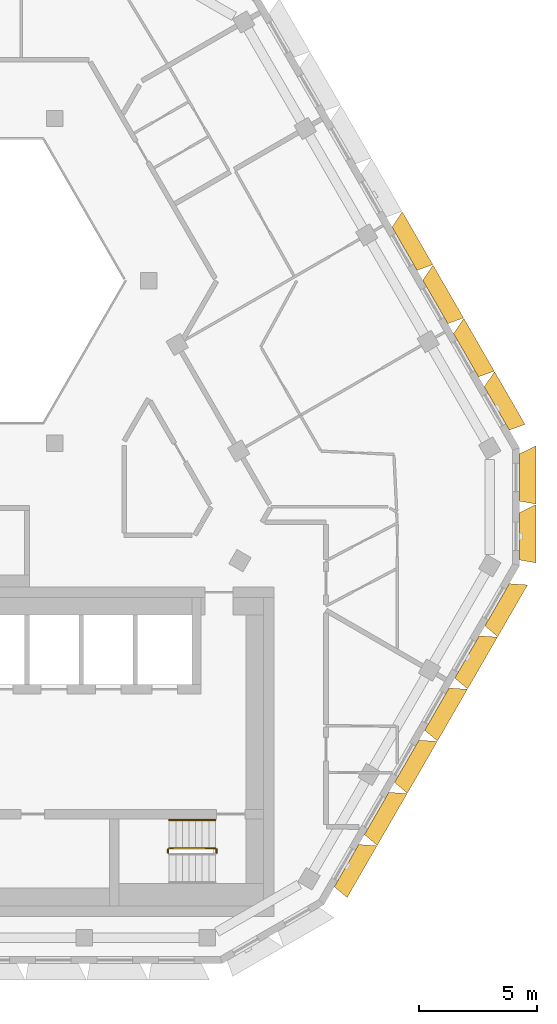
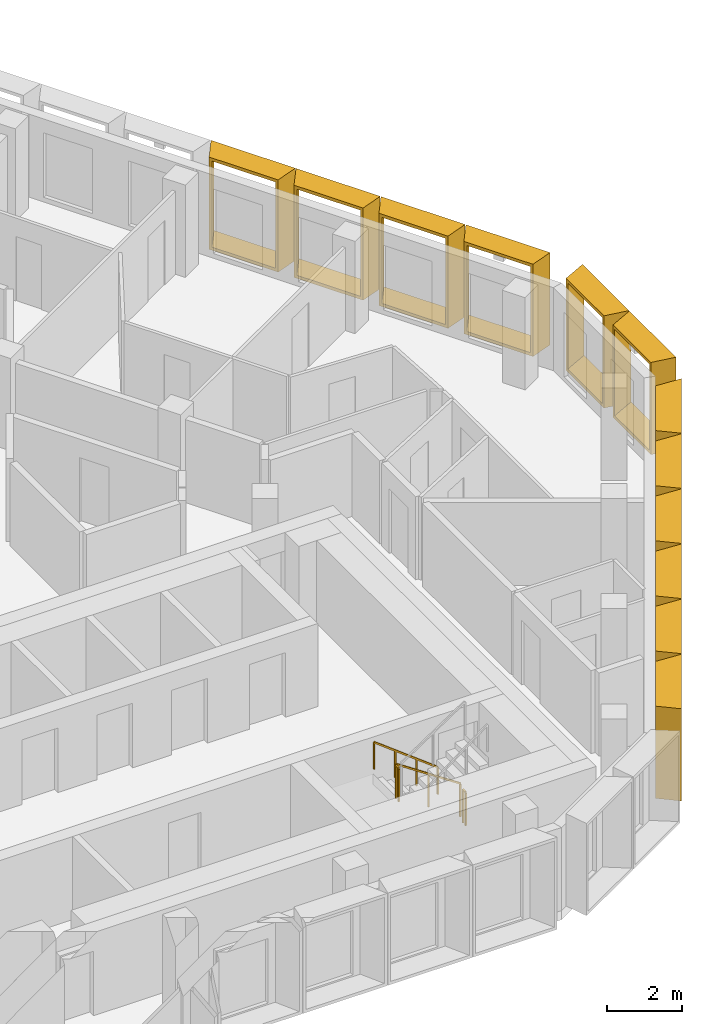
# One storey, part 15 of 16: 12 shading devices, 4 railings.
"""IFC4 building model written with IfcOpenShell, lengths in metres."""

import ifcopenshell
import ifcopenshell.guid

model = None  # the IFC model being written
_history = None  # IfcOwnerHistory: only IFC2X3 demands one
_inside = {}  # id of a spatial element -> (the spatial element, [elements in it])
_under = {}  # id of a project, library or spatial element -> (it, [spatial elements below it])
_declared = {}  # id of a project -> (the project, [libraries it declares])
_typed = {}  # id of a type object -> (the type object, [elements of that type])
_made_of = {}  # id of a material, layer set ... -> (it, [elements and type objects made of it])


def new_model(schema):
    """Start an empty IFC model of exactly this schema.

    Asked for "IFC4X3", IfcOpenShell would pick the latest addendum, in which some entities
    have other attributes; the version numbers below select the first issue.
    IFC2X3 requires an IfcOwnerHistory on every rooted entity: one is made here for all.
    """
    global model, _history
    if schema == "IFC4X3":
        model = ifcopenshell.file(schema_version=(4, 3, 0, 0))
    else:
        model = ifcopenshell.file(schema=schema)
    _inside.clear()
    _under.clear()
    _declared.clear()
    _typed.clear()
    _made_of.clear()
    _history = None
    if model.schema == "IFC2X3":
        org = make("IfcOrganization", Name="unknown")
        user = make(
            "IfcPersonAndOrganization",
            ThePerson=make("IfcPerson", FamilyName="unknown"),
            TheOrganization=org,
        )
        app = make(
            "IfcApplication",
            ApplicationDeveloper=org,
            Version="unknown",
            ApplicationFullName="unknown",
            ApplicationIdentifier="unknown",
        )
        _history = make(
            "IfcOwnerHistory",
            OwningUser=user,
            OwningApplication=app,
            ChangeAction="ADDED",
            CreationDate=0,
        )
    return model


def make(cls, **values):
    """One entity of the class cls with the attributes given. An attribute that is None is left unset."""
    return model.create_entity(
        cls, **{name: value for name, value in values.items() if value is not None}
    )


def entity(cls, *values):
    """Any entity or typed value of the class cls, its attributes in the order of the schema. None: left unset."""
    e = model.create_entity(cls)
    for i, value in enumerate(values):
        if value is not None:
            e[i] = value
    return e


def rooted(cls, **values):
    """An entity with a GlobalId (a new one), such as an element, a storey or a relation."""
    return make(cls, GlobalId=ifcopenshell.guid.new(), OwnerHistory=_history, **values)


def si_unit(unit_type, name, prefix=None):
    """IfcSIUnit, for example si_unit("LENGTHUNIT", "METRE", prefix="MILLI")."""
    return make("IfcSIUnit", UnitType=unit_type, Prefix=prefix, Name=name)


def assignment(units):
    """IfcUnitAssignment: the units of a project."""
    return None if units is None else make("IfcUnitAssignment", Units=units)


def point(xyz):
    """IfcCartesianPoint."""
    return None if xyz is None else make("IfcCartesianPoint", Coordinates=xyz)


def direction(xyz):
    """IfcDirection."""
    return None if xyz is None else make("IfcDirection", DirectionRatios=xyz)


def frame(location, z_axis=None, x_axis=None):
    """IfcAxis2Placement3D, a coordinate frame: its origin and axes. An axis left out is left unset."""
    return make(
        "IfcAxis2Placement3D",
        Location=point(location),
        Axis=direction(z_axis),
        RefDirection=direction(x_axis),
    )


def frame_2d(location, x_axis=None):
    """IfcAxis2Placement2D, a coordinate frame in the plane: its origin and x axis."""
    return make(
        "IfcAxis2Placement2D", Location=point(location), RefDirection=direction(x_axis)
    )


def origin():
    """The frame at (0, 0, 0) with its axes left unset."""
    return frame((0.0, 0.0, 0.0))


def origin_2d():
    """The frame at (0, 0) in the plane with its x axis left unset."""
    return frame_2d((0.0, 0.0))


def place(relative_to, where):
    """IfcLocalPlacement: puts the frame where relative to a parent placement (None: the world)."""
    return make(
        "IfcLocalPlacement", PlacementRelTo=relative_to, RelativePlacement=where
    )


def context(
    kind, dimensions, precision=None, world=None, true_north=None, identifier=None
):
    """IfcGeometricRepresentationContext, for example the 3D "Model" context."""
    return make(
        "IfcGeometricRepresentationContext",
        ContextIdentifier=identifier,
        ContextType=kind,
        CoordinateSpaceDimension=dimensions,
        Precision=precision,
        WorldCoordinateSystem=world,
        TrueNorth=true_north,
    )


def subcontext(parent, identifier, kind, view, scale=None):
    """IfcGeometricRepresentationSubContext, for example "Body" below "Model"."""
    return make(
        "IfcGeometricRepresentationSubContext",
        ContextIdentifier=identifier,
        ContextType=kind,
        ParentContext=parent,
        TargetScale=scale,
        TargetView=view,
    )


def project(units=None, contexts=None):
    """IfcProject with its units and contexts."""
    return rooted(
        "IfcProject",
        Name="project",
        RepresentationContexts=contexts,
        UnitsInContext=assignment(units),
    )


def spatial(cls, under=None, at=None, **own):
    """A site, building, storey or space (cls), placed at a placement, below another one or the project."""
    s = rooted(cls, ObjectPlacement=at, **own)
    if under is not None:
        _under.setdefault(under.id(), (under, []))[1].append(s)
    return s


def profile(cls, at=None, kind="AREA", **sizes):
    """A parametric profile (cls). Its sizes go by their IFC names, for example OverallWidth=200.0."""
    return make(cls, ProfileType=kind, Position=at, **sizes)


def rectangle(**sizes):
    """IfcRectangleProfileDef."""
    return profile("IfcRectangleProfileDef", **sizes)


def extrude(swept, where, along, depth):
    """IfcExtrudedAreaSolid: the profile swept, set in the frame where, extruded along a direction by depth."""
    return make(
        "IfcExtrudedAreaSolid",
        SweptArea=swept,
        Position=where,
        ExtrudedDirection=direction(along),
        Depth=depth,
    )


def shape(context_of_items, identifier, shape_type, items):
    """IfcShapeRepresentation: the items that make up one representation, for example the "Body"."""
    return make(
        "IfcShapeRepresentation",
        ContextOfItems=context_of_items,
        RepresentationIdentifier=identifier,
        RepresentationType=shape_type,
        Items=items,
    )


def source(mapping_origin, context_of_items, identifier, shape_type, items):
    """IfcRepresentationMap: a shape defined once, which mapped items show again and again."""
    return make(
        "IfcRepresentationMap",
        MappingOrigin=mapping_origin,
        MappedRepresentation=shape(context_of_items, identifier, shape_type, items),
    )


def transform(
    local_origin,
    x_axis=None,
    y_axis=None,
    z_axis=None,
    scale=None,
    scale2=None,
    scale3=None,
    uniform=True,
):
    """IfcCartesianTransformationOperator3D, or its non-uniform kind. x_axis, y_axis, z_axis: its Axis1, 2, 3."""
    if uniform:
        return make(
            "IfcCartesianTransformationOperator3D",
            Axis1=direction(x_axis),
            Axis2=direction(y_axis),
            LocalOrigin=point(local_origin),
            Scale=scale,
            Axis3=direction(z_axis),
        )
    return make(
        "IfcCartesianTransformationOperator3DnonUniform",
        Axis1=direction(x_axis),
        Axis2=direction(y_axis),
        LocalOrigin=point(local_origin),
        Scale=scale,
        Axis3=direction(z_axis),
        Scale2=scale2,
        Scale3=scale3,
    )


def mapped(mapping_source, mapping_target):
    """IfcMappedItem: shows the shape of a source again, moved by a transform."""
    return make(
        "IfcMappedItem", MappingSource=mapping_source, MappingTarget=mapping_target
    )


def material(Name=None, Category=None):
    """IfcMaterial."""
    return make("IfcMaterial", Name=Name, Category=Category)


def made_of(thing, what):
    """Note that an element or type object is made of a material, layer set ...; save() writes the relation."""
    if what is not None:
        _made_of.setdefault(what.id(), (what, []))[1].append(thing)
    return thing


def type_object(cls, material=None, **own):
    """A type object (cls), such as IfcWallType, which elements share."""
    return made_of(rooted(cls, **own), material)


def type_shapes(of_type, sources):
    """Give a type object the sources (RepresentationMaps) that its elements show as mapped items."""
    of_type.RepresentationMaps = sources


def element(
    cls,
    number,
    at=None,
    inside=None,
    cuts=None,
    type_object=None,
    material=None,
    context=None,
    identifier="Body",
    shape_type=None,
    held_by="IfcProductDefinitionShape",
    body=None,
    shapes=None,
    **own,
):
    """One element of the class cls, such as IfcWall. Its Tag is "e" and its number.

    at: its placement. inside: the storey or other place that contains it. cuts: it is an
    opening in that element (IfcRelVoidsElement). A single representation is given by context,
    identifier, shape_type and body (its items); several are given by shapes. held_by: the class
    of the entity that holds the representations. save() writes the other relations.
    """
    e = rooted(cls, Tag="e%d" % number, ObjectPlacement=at, **own)
    if body is not None:
        shapes = [shape(context, identifier, shape_type, body)]
    if shapes is not None:
        e.Representation = make(held_by, Representations=shapes)
    if inside is not None:
        _inside.setdefault(inside.id(), (inside, []))[1].append(e)
    if cuts is not None:
        rooted(
            "IfcRelVoidsElement", RelatingBuildingElement=cuts, RelatedOpeningElement=e
        )
    if type_object is not None:
        _typed.setdefault(type_object.id(), (type_object, []))[1].append(e)
    return made_of(e, material)


def aggregate(whole, parts):
    """IfcRelAggregates: a whole, such as a stair, and the parts it consists of."""
    return rooted("IfcRelAggregates", RelatingObject=whole, RelatedObjects=parts)


def save(model, path):
    """Write the relations noted so far, then the file.

    IfcRelAggregates (storeys below a building ...), IfcRelContainedInSpatialStructure (elements
    in a storey), IfcRelDefinesByType, IfcRelAssociatesMaterial and IfcRelDeclares: one each for
    every whole, place, type object, material and project.
    """
    for whole, parts in _under.values():
        aggregate(whole, parts)
    for where, things in _inside.values():
        rooted(
            "IfcRelContainedInSpatialStructure",
            RelatedElements=things,
            RelatingStructure=where,
        )
    for kind, things in _typed.values():
        rooted("IfcRelDefinesByType", RelatedObjects=things, RelatingType=kind)
    for what, things in _made_of.values():
        rooted("IfcRelAssociatesMaterial", RelatedObjects=things, RelatingMaterial=what)
    for by, libraries in _declared.values():
        rooted("IfcRelDeclares", RelatingContext=by, RelatedDefinitions=libraries)
    model.write(path)


model = new_model("IFC4")

# Units and contexts
model_context = context("Model", 3, precision=1e-05, world=origin(), true_north=direction((0.0, 1.0)))
body_context = subcontext(model_context, "Body", "Model", "MODEL_VIEW")
ifc_project = project(units=[si_unit("LENGTHUNIT", "METRE"), si_unit("AREAUNIT", "SQUARE_METRE"), si_unit("VOLUMEUNIT", "CUBIC_METRE"), si_unit("PLANEANGLEUNIT", "RADIAN"), si_unit("MASSUNIT", "GRAM", prefix="KILO")], contexts=[model_context])

# Site, building, storey
site_placement = place(None, origin())
site = spatial("IfcSite", under=ifc_project, at=site_placement, CompositionType="ELEMENT")
building_placement = place(site_placement, origin())
building = spatial("IfcBuilding", under=site, at=building_placement, Name="Beryl Residences", CompositionType="ELEMENT")
storey_placement = place(building_placement, frame((0.0, 0.0, 214.800048828125)))
storey = spatial("IfcBuildingStorey", under=building, at=storey_placement, Name="L66", CompositionType="ELEMENT", Elevation=214.800048828125)

# Shading devices
ifc_material_1 = material(Name="Aluminium pale anodised", Category="aluminium")
shading_device_type_1 = type_object("IfcShadingDeviceType", Name="FR250-70C OUTER SKIN frame 700 mm deep, splay 10/26 deg, 2500 x 3000 mm cell", PredefinedType="USERDEFINED", material=ifc_material_1)
cartesian_point_1 = entity("IfcCartesianPoint", [-1.007568359375, 0.0])
cartesian_point_2 = entity("IfcCartesianPoint", [-0.92626953125, 0.10009765625])
cartesian_point_3 = entity("IfcCartesianPoint", [-1.130859375, 0.0])
cartesian_point_4 = entity("IfcCartesianPoint", [-1.0498046875, 0.10009765625])
shared_shape_1 = source(origin(), body_context, "Body", "SweptSolid", [
    entity("IfcExtrudedAreaSolidTapered", entity("IfcArbitraryProfileDefWithVoids", "AREA", None, entity("IfcPolyline", [cartesian_point_1, entity("IfcCartesianPoint", [1.007568359375, 0.0]), entity("IfcCartesianPoint", [1.007568359375, 3.0]), entity("IfcCartesianPoint", [-1.007568359375, 3.0]), cartesian_point_1]), [entity("IfcPolyline", [cartesian_point_2, entity("IfcCartesianPoint", [0.91845703125, 0.10009765625]), entity("IfcCartesianPoint", [0.91845703125, 2.89990234375]), entity("IfcCartesianPoint", [-0.92626953125, 2.89990234375]), cartesian_point_2])]), entity("IfcAxis2Placement3D", entity("IfcCartesianPoint", [0.0, 0.0, 0.0]), entity("IfcDirection", [0.0, 1.0, 0.0]), entity("IfcDirection", [-1.0, 0.0, 0.0])), entity("IfcDirection", [0.0, 0.0, 1.0]), 0.699951171875, entity("IfcArbitraryProfileDefWithVoids", "AREA", None, entity("IfcPolyline", [cartesian_point_3, entity("IfcCartesianPoint", [1.348876953125, 0.0]), entity("IfcCartesianPoint", [1.348876953125, 3.0]), entity("IfcCartesianPoint", [-1.130859375, 3.0]), cartesian_point_3]), [entity("IfcPolyline", [cartesian_point_4, entity("IfcCartesianPoint", [1.260009765625, 0.10009765625]), entity("IfcCartesianPoint", [1.260009765625, 2.89990234375]), entity("IfcCartesianPoint", [-1.0498046875, 2.89990234375]), cartesian_point_4])])),
])
type_shapes(shading_device_type_1, [shared_shape_1])
for number, where, z_axis, x_axis, name in (
    (1, (23.72900390625, -2.85009765625, 0.0), (0.0, 0.0, 1.0), (0.0, -1.0, 0.0), "FR250-70C frame L66 SE-NE 1"),
    (2, (23.72900390625, -0.35009765625, 0.0), (0.0, 0.0, 1.0), (0.0, -1.0, 0.0), "FR250-70C frame L66 SE-NE 2"),
):
    element("IfcShadingDevice", number, at=place(storey_placement, frame(where, z_axis=z_axis, x_axis=x_axis)), inside=storey, type_object=shading_device_type_1, Name=name, ObjectType="OUTER SKIN", PredefinedType="USERDEFINED", context=body_context, shape_type="MappedRepresentation", body=[
        mapped(shared_shape_1, transform((0.0, 0.0, 0.0))),
    ])
ifc_material_2 = material(Name="Aluminium pale anodised", Category="aluminium")
shading_device_type_2 = type_object("IfcShadingDeviceType", Name="FR256-70C OUTER SKIN frame 700 mm deep, splay 10/26 deg, 2560 x 3000 mm cell", PredefinedType="USERDEFINED", material=ifc_material_2)
cartesian_point_5 = entity("IfcCartesianPoint", [-1.03759765625, 0.0])
cartesian_point_6 = entity("IfcCartesianPoint", [-0.956298828125, 0.10009765625])
cartesian_point_7 = entity("IfcCartesianPoint", [-1.160888671875, 0.0])
cartesian_point_8 = entity("IfcCartesianPoint", [-1.07958984375, 0.10009765625])
shared_shape_2 = source(origin(), body_context, "Body", "SweptSolid", [
    entity("IfcExtrudedAreaSolidTapered", entity("IfcArbitraryProfileDefWithVoids", "AREA", None, entity("IfcPolyline", [cartesian_point_5, entity("IfcCartesianPoint", [1.03759765625, 0.0]), entity("IfcCartesianPoint", [1.03759765625, 3.0]), entity("IfcCartesianPoint", [-1.03759765625, 3.0]), cartesian_point_5]), [entity("IfcPolyline", [cartesian_point_6, entity("IfcCartesianPoint", [0.948486328125, 0.10009765625]), entity("IfcCartesianPoint", [0.948486328125, 2.89990234375]), entity("IfcCartesianPoint", [-0.956298828125, 2.89990234375]), cartesian_point_6])]), entity("IfcAxis2Placement3D", entity("IfcCartesianPoint", [0.0, 0.0, 0.0]), entity("IfcDirection", [0.0, 1.0, 0.0]), entity("IfcDirection", [-1.0, 0.0, 0.0])), entity("IfcDirection", [0.0, 0.0, 1.0]), 0.699951171875, entity("IfcArbitraryProfileDefWithVoids", "AREA", None, entity("IfcPolyline", [cartesian_point_7, entity("IfcCartesianPoint", [1.37890625, 0.0]), entity("IfcCartesianPoint", [1.37890625, 3.0]), entity("IfcCartesianPoint", [-1.160888671875, 3.0]), cartesian_point_7]), [entity("IfcPolyline", [cartesian_point_8, entity("IfcCartesianPoint", [1.289794921875, 0.10009765625]), entity("IfcCartesianPoint", [1.289794921875, 2.89990234375]), entity("IfcCartesianPoint", [-1.07958984375, 2.89990234375]), cartesian_point_8])])),
])
type_shapes(shading_device_type_2, [shared_shape_2])
for number, where, z_axis, x_axis, name in (
    (3, (16.373046875, -16.842041015625, 0.0), (0.0, 0.0, 1.0), (-0.5, -0.866025403784, 0.0), "FR256-70C frame L66 SE 1"),
    (4, (17.652099609375, -14.625, 0.0), (0.0, 0.0, 1.0), (-0.5, -0.866025403784, 0.0), "FR256-70C frame L66 SE 2"),
    (5, (18.931884765625, -12.408935546875, 0.0), (0.0, 0.0, 1.0), (-0.5, -0.866025403784, 0.0), "FR256-70C frame L66 SE 3"),
    (6, (20.2119140625, -10.19189453125, 0.0), (0.0, 0.0, 1.0), (-0.5, -0.866025403784, 0.0), "FR256-70C frame L66 SE 4"),
    (7, (21.490966796875, -7.97607421875, 0.0), (0.0, 0.0, 1.0), (-0.5, -0.866025403784, 0.0), "FR256-70C frame L66 SE 5"),
    (8, (22.77099609375, -5.759033203125, 0.0), (0.0, 0.0, 1.0), (-0.5, -0.866025403784, 0.0), "FR256-70C frame L66 SE 6"),
):
    element("IfcShadingDevice", number, at=place(storey_placement, frame(where, z_axis=z_axis, x_axis=x_axis)), inside=storey, type_object=shading_device_type_2, Name=name, ObjectType="OUTER SKIN", PredefinedType="USERDEFINED", context=body_context, shape_type="MappedRepresentation", body=[
        mapped(shared_shape_2, transform((0.0, 0.0, 0.0))),
    ])
ifc_material_3 = material(Name="Aluminium pale anodised", Category="aluminium")
shading_device_type_3 = type_object("IfcShadingDeviceType", Name="FR261-70C OUTER SKIN frame 700 mm deep, splay 10/26 deg, 2610 x 3000 mm cell", PredefinedType="USERDEFINED", material=ifc_material_3)
cartesian_point_9 = entity("IfcCartesianPoint", [-1.0625, 0.0])
cartesian_point_10 = entity("IfcCartesianPoint", [-0.981201171875, 0.10009765625])
cartesian_point_11 = entity("IfcCartesianPoint", [-1.18603515625, 0.0])
cartesian_point_12 = entity("IfcCartesianPoint", [-1.104736328125, 0.10009765625])
shared_shape_3 = source(origin(), body_context, "Body", "SweptSolid", [
    entity("IfcExtrudedAreaSolidTapered", entity("IfcArbitraryProfileDefWithVoids", "AREA", None, entity("IfcPolyline", [cartesian_point_9, entity("IfcCartesianPoint", [1.0625, 0.0]), entity("IfcCartesianPoint", [1.0625, 3.0]), entity("IfcCartesianPoint", [-1.0625, 3.0]), cartesian_point_9]), [entity("IfcPolyline", [cartesian_point_10, entity("IfcCartesianPoint", [0.973388671875, 0.10009765625]), entity("IfcCartesianPoint", [0.973388671875, 2.89990234375]), entity("IfcCartesianPoint", [-0.981201171875, 2.89990234375]), cartesian_point_10])]), entity("IfcAxis2Placement3D", entity("IfcCartesianPoint", [0.0, 0.0, 0.0]), entity("IfcDirection", [0.0, 1.0, 0.0]), entity("IfcDirection", [-1.0, 0.0, 0.0])), entity("IfcDirection", [0.0, 0.0, 1.0]), 0.699951171875, entity("IfcArbitraryProfileDefWithVoids", "AREA", None, entity("IfcPolyline", [cartesian_point_11, entity("IfcCartesianPoint", [1.40380859375, 0.0]), entity("IfcCartesianPoint", [1.40380859375, 3.0]), entity("IfcCartesianPoint", [-1.18603515625, 3.0]), cartesian_point_11]), [entity("IfcPolyline", [cartesian_point_12, entity("IfcCartesianPoint", [1.31494140625, 0.10009765625]), entity("IfcCartesianPoint", [1.31494140625, 2.89990234375]), entity("IfcCartesianPoint", [-1.104736328125, 2.89990234375]), cartesian_point_12])])),
])
type_shapes(shading_device_type_3, [shared_shape_3])
for number, where, z_axis, x_axis, name in (
    (9, (22.758056640625, 2.5810546875, 0.0), (0.0, 0.0, 1.0), (0.5, -0.866025403784, 0.0), "FR261-70C frame L66 NE 1"),
    (10, (21.450927734375, 4.843994140625, 0.0), (0.0, 0.0, 1.0), (0.5, -0.866025403784, 0.0), "FR261-70C frame L66 NE 2"),
    (11, (20.14501953125, 7.10595703125, 0.0), (0.0, 0.0, 1.0), (0.5, -0.866025403784, 0.0), "FR261-70C frame L66 NE 3"),
    (12, (18.839111328125, 9.368896484375, 0.0), (0.0, 0.0, 1.0), (0.5, -0.866025403784, 0.0), "FR261-70C frame L66 NE 4"),
):
    element("IfcShadingDevice", number, at=place(storey_placement, frame(where, z_axis=z_axis, x_axis=x_axis)), inside=storey, type_object=shading_device_type_3, Name=name, ObjectType="OUTER SKIN", PredefinedType="USERDEFINED", context=body_context, shape_type="MappedRepresentation", body=[
        mapped(shared_shape_3, transform((0.0, 0.0, 0.0))),
    ])

# Railings
ifc_material_4 = material(Name="Stainless steel balustrade with glass infill", Category="steel")
railing_type_1 = type_object("IfcRailingType", Name="SG1 stair guard 1100 mm", PredefinedType="GUARDRAIL", material=ifc_material_4)
railing_1_placement = place(storey_placement, frame((10.800048828125, -16.10009765625, 0.1875)))
element("IfcRailing", 13, at=railing_1_placement, inside=storey, type_object=railing_type_1, Name="L66 ST-3 stair guard 1", PredefinedType="GUARDRAIL", context=body_context, shape_type="SweptSolid", body=[
    extrude(rectangle(XDim=0.048095703125, YDim=0.048095703125, at=origin_2d()), frame((0.0, 0.0, 1.076171875), z_axis=(-0.830902050051, 0.0, 0.556418712142), x_axis=(0.0, -1.0, 0.0)), (0.0, 0.0, 1.0), 2.35888671875),
    extrude(rectangle(XDim=0.0419921875, YDim=0.0419921875, at=origin_2d()), origin(), (0.0, 0.0, 1.0), 1.052001953125),
    extrude(rectangle(XDim=0.0419921875, YDim=0.0419921875, at=origin_2d()), frame((-0.97998046875, 0.0, 0.65625)), (0.0, 0.0, 1.0), 1.052001953125),
    extrude(rectangle(XDim=0.0419921875, YDim=0.0419921875, at=origin_2d()), frame((-1.9599609375, 0.0, 1.3125)), (0.0, 0.0, 1.0), 1.052001953125),
])
for number, where, name in (
    (14, (8.7900390625, -16.14990234375, 1.5), "L66 ST-3 stair guard 2"),
    (15, (10.85009765625, -16.14990234375, 0.0), "L66 ST-3 stair guard 4"),
):
    element("IfcRailing", number, at=place(storey_placement, frame(where)), inside=storey, type_object=railing_type_1, Name=name, PredefinedType="GUARDRAIL", context=body_context, shape_type="SweptSolid", body=[
        extrude(rectangle(XDim=0.048095703125, YDim=0.048095703125, at=origin_2d()), frame((0.0, 0.0, 1.076171875), z_axis=(0.0, -1.0, 0.0), x_axis=(1.0, 0.0, 0.0)), (0.0, 0.0, 1.0), 0.150146484375),
        extrude(rectangle(XDim=0.0419921875, YDim=0.0419921875, at=origin_2d()), origin(), (0.0, 0.0, 1.0), 1.052001953125),
        extrude(rectangle(XDim=0.0419921875, YDim=0.0419921875, at=origin_2d()), frame((0.0, -0.150146484375, 0.0)), (0.0, 0.0, 1.0), 1.052001953125),
    ])
ifc_material_5 = material(Name="Stainless steel handrail", Category="steel")
railing_type_2 = type_object("IfcRailingType", Name="SRL1 stair handrail 900 mm", PredefinedType="HANDRAIL", material=ifc_material_5)
railing_2_placement = place(storey_placement, frame((10.800048828125, -14.89990234375, 0.1875)))
element("IfcRailing", 16, at=railing_2_placement, inside=storey, type_object=railing_type_2, Name="L66 ST-3 stair handrail 1", PredefinedType="HANDRAIL", context=body_context, shape_type="SweptSolid", body=[
    extrude(rectangle(XDim=0.048095703125, YDim=0.048095703125, at=origin_2d()), frame((0.0, 0.0, 0.8759765625), z_axis=(-0.794121922505, 0.0, 0.607758481798), x_axis=(0.0, -1.0, 0.0)), (0.0, 0.0, 1.0), 2.468017578125),
    extrude(rectangle(XDim=0.0419921875, YDim=0.0419921875, at=origin_2d()), origin(), (0.0, 0.0, 1.0), 0.851806640625),
    extrude(rectangle(XDim=0.0419921875, YDim=0.0419921875, at=origin_2d()), frame((-0.6533203125, 0.0, 0.5)), (0.0, 0.0, 1.0), 0.851806640625),
    extrude(rectangle(XDim=0.0419921875, YDim=0.0419921875, at=origin_2d()), frame((-1.306640625, 0.0, 1.0)), (0.0, 0.0, 1.0), 0.851806640625),
    extrude(rectangle(XDim=0.0419921875, YDim=0.0419921875, at=origin_2d()), frame((-1.9599609375, 0.0, 1.5)), (0.0, 0.0, 1.0), 0.851806640625),
])

save(model, "model.ifc")
